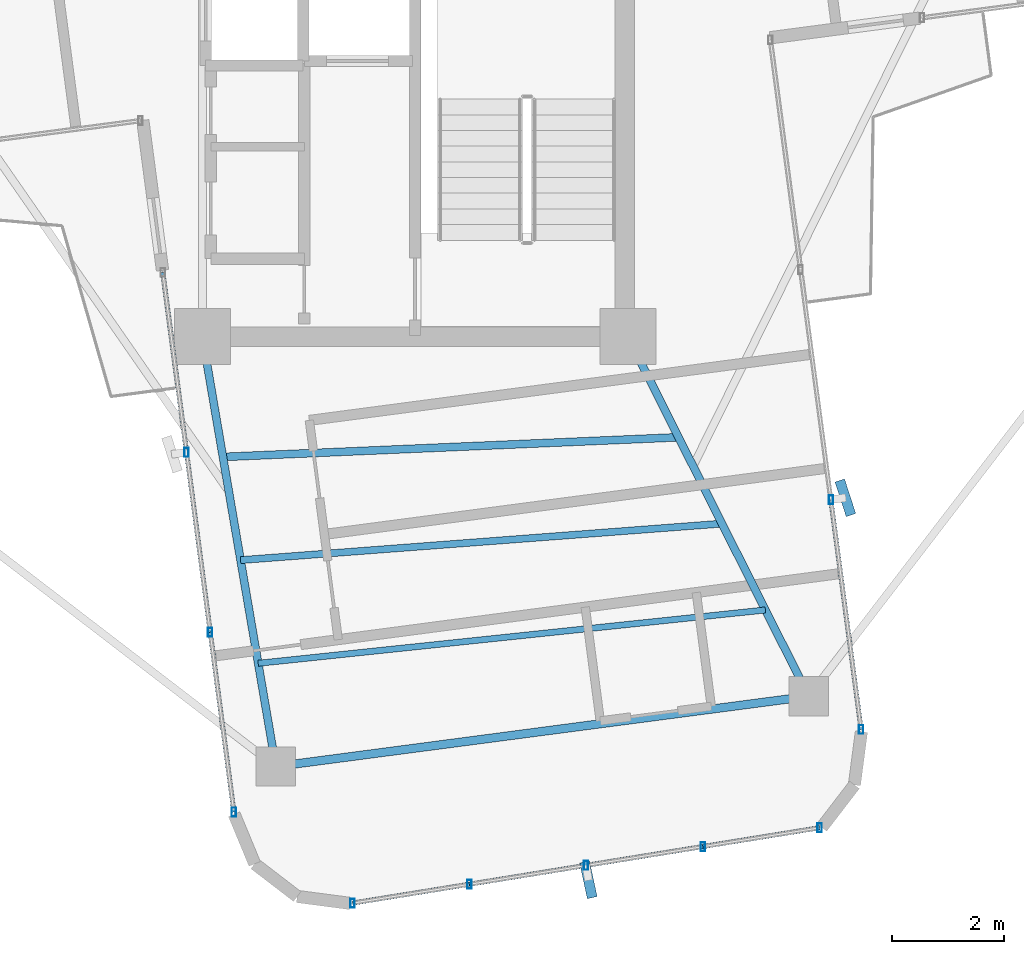
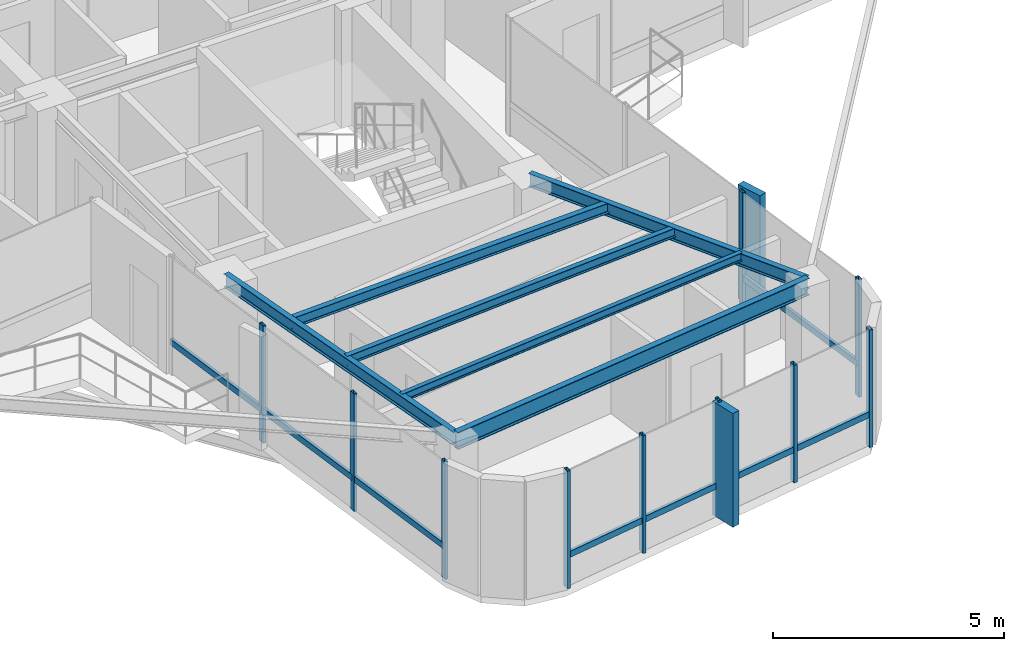
# One storey, part 4 of 21: 20 members, 6 beams, 3 elements without a shape of their own.
"""IFC4 building model written with IfcOpenShell, lengths in metres."""

import ifcopenshell
import ifcopenshell.guid

model = None  # the IFC model being written
_history = None  # IfcOwnerHistory: only IFC2X3 demands one
_inside = {}  # id of a spatial element -> (the spatial element, [elements in it])
_under = {}  # id of a project, library or spatial element -> (it, [spatial elements below it])
_declared = {}  # id of a project -> (the project, [libraries it declares])
_typed = {}  # id of a type object -> (the type object, [elements of that type])
_made_of = {}  # id of a material, layer set ... -> (it, [elements and type objects made of it])


def new_model(schema):
    """Start an empty IFC model of exactly this schema.

    Asked for "IFC4X3", IfcOpenShell would pick the latest addendum, in which some entities
    have other attributes; the version numbers below select the first issue.
    IFC2X3 requires an IfcOwnerHistory on every rooted entity: one is made here for all.
    """
    global model, _history
    if schema == "IFC4X3":
        model = ifcopenshell.file(schema_version=(4, 3, 0, 0))
    else:
        model = ifcopenshell.file(schema=schema)
    _inside.clear()
    _under.clear()
    _declared.clear()
    _typed.clear()
    _made_of.clear()
    _history = None
    if model.schema == "IFC2X3":
        org = make("IfcOrganization", Name="unknown")
        user = make(
            "IfcPersonAndOrganization",
            ThePerson=make("IfcPerson", FamilyName="unknown"),
            TheOrganization=org,
        )
        app = make(
            "IfcApplication",
            ApplicationDeveloper=org,
            Version="unknown",
            ApplicationFullName="unknown",
            ApplicationIdentifier="unknown",
        )
        _history = make(
            "IfcOwnerHistory",
            OwningUser=user,
            OwningApplication=app,
            ChangeAction="ADDED",
            CreationDate=0,
        )
    return model


def make(cls, **values):
    """One entity of the class cls with the attributes given. An attribute that is None is left unset."""
    return model.create_entity(
        cls, **{name: value for name, value in values.items() if value is not None}
    )


def rooted(cls, **values):
    """An entity with a GlobalId (a new one), such as an element, a storey or a relation."""
    return make(cls, GlobalId=ifcopenshell.guid.new(), OwnerHistory=_history, **values)


def si_unit(unit_type, name, prefix=None):
    """IfcSIUnit, for example si_unit("LENGTHUNIT", "METRE", prefix="MILLI")."""
    return make("IfcSIUnit", UnitType=unit_type, Prefix=prefix, Name=name)


def assignment(units):
    """IfcUnitAssignment: the units of a project."""
    return None if units is None else make("IfcUnitAssignment", Units=units)


def point(xyz):
    """IfcCartesianPoint."""
    return None if xyz is None else make("IfcCartesianPoint", Coordinates=xyz)


def direction(xyz):
    """IfcDirection."""
    return None if xyz is None else make("IfcDirection", DirectionRatios=xyz)


def frame(location, z_axis=None, x_axis=None):
    """IfcAxis2Placement3D, a coordinate frame: its origin and axes. An axis left out is left unset."""
    return make(
        "IfcAxis2Placement3D",
        Location=point(location),
        Axis=direction(z_axis),
        RefDirection=direction(x_axis),
    )


def frame_2d(location, x_axis=None):
    """IfcAxis2Placement2D, a coordinate frame in the plane: its origin and x axis."""
    return make(
        "IfcAxis2Placement2D", Location=point(location), RefDirection=direction(x_axis)
    )


def origin():
    """The frame at (0, 0, 0) with its axes left unset."""
    return frame((0.0, 0.0, 0.0))


def origin_2d():
    """The frame at (0, 0) in the plane with its x axis left unset."""
    return frame_2d((0.0, 0.0))


def place(relative_to, where):
    """IfcLocalPlacement: puts the frame where relative to a parent placement (None: the world)."""
    return make(
        "IfcLocalPlacement", PlacementRelTo=relative_to, RelativePlacement=where
    )


def context(
    kind, dimensions, precision=None, world=None, true_north=None, identifier=None
):
    """IfcGeometricRepresentationContext, for example the 3D "Model" context."""
    return make(
        "IfcGeometricRepresentationContext",
        ContextIdentifier=identifier,
        ContextType=kind,
        CoordinateSpaceDimension=dimensions,
        Precision=precision,
        WorldCoordinateSystem=world,
        TrueNorth=true_north,
    )


def subcontext(parent, identifier, kind, view, scale=None):
    """IfcGeometricRepresentationSubContext, for example "Body" below "Model"."""
    return make(
        "IfcGeometricRepresentationSubContext",
        ContextIdentifier=identifier,
        ContextType=kind,
        ParentContext=parent,
        TargetScale=scale,
        TargetView=view,
    )


def project(units=None, contexts=None):
    """IfcProject with its units and contexts."""
    return rooted(
        "IfcProject",
        Name="project",
        RepresentationContexts=contexts,
        UnitsInContext=assignment(units),
    )


def spatial(cls, under=None, at=None, **own):
    """A site, building, storey or space (cls), placed at a placement, below another one or the project."""
    s = rooted(cls, ObjectPlacement=at, **own)
    if under is not None:
        _under.setdefault(under.id(), (under, []))[1].append(s)
    return s


def profile(cls, at=None, kind="AREA", **sizes):
    """A parametric profile (cls). Its sizes go by their IFC names, for example OverallWidth=200.0."""
    return make(cls, ProfileType=kind, Position=at, **sizes)


def rectangle(**sizes):
    """IfcRectangleProfileDef."""
    return profile("IfcRectangleProfileDef", **sizes)


def hollow_rectangle(**sizes):
    """IfcRectangleHollowProfileDef."""
    return profile("IfcRectangleHollowProfileDef", **sizes)


def i_section(**sizes):
    """IfcIShapeProfileDef."""
    return profile("IfcIShapeProfileDef", **sizes)


def extrude(swept, where, along, depth):
    """IfcExtrudedAreaSolid: the profile swept, set in the frame where, extruded along a direction by depth."""
    return make(
        "IfcExtrudedAreaSolid",
        SweptArea=swept,
        Position=where,
        ExtrudedDirection=direction(along),
        Depth=depth,
    )


def shape(context_of_items, identifier, shape_type, items):
    """IfcShapeRepresentation: the items that make up one representation, for example the "Body"."""
    return make(
        "IfcShapeRepresentation",
        ContextOfItems=context_of_items,
        RepresentationIdentifier=identifier,
        RepresentationType=shape_type,
        Items=items,
    )


def source(mapping_origin, context_of_items, identifier, shape_type, items):
    """IfcRepresentationMap: a shape defined once, which mapped items show again and again."""
    return make(
        "IfcRepresentationMap",
        MappingOrigin=mapping_origin,
        MappedRepresentation=shape(context_of_items, identifier, shape_type, items),
    )


def transform(
    local_origin,
    x_axis=None,
    y_axis=None,
    z_axis=None,
    scale=None,
    scale2=None,
    scale3=None,
    uniform=True,
):
    """IfcCartesianTransformationOperator3D, or its non-uniform kind. x_axis, y_axis, z_axis: its Axis1, 2, 3."""
    if uniform:
        return make(
            "IfcCartesianTransformationOperator3D",
            Axis1=direction(x_axis),
            Axis2=direction(y_axis),
            LocalOrigin=point(local_origin),
            Scale=scale,
            Axis3=direction(z_axis),
        )
    return make(
        "IfcCartesianTransformationOperator3DnonUniform",
        Axis1=direction(x_axis),
        Axis2=direction(y_axis),
        LocalOrigin=point(local_origin),
        Scale=scale,
        Axis3=direction(z_axis),
        Scale2=scale2,
        Scale3=scale3,
    )


def mapped(mapping_source, mapping_target):
    """IfcMappedItem: shows the shape of a source again, moved by a transform."""
    return make(
        "IfcMappedItem", MappingSource=mapping_source, MappingTarget=mapping_target
    )


def material(Name=None, Category=None):
    """IfcMaterial."""
    return make("IfcMaterial", Name=Name, Category=Category)


def material_profile(
    of_material, cross_section, Name=None, Category=None, Priority=None
):
    """IfcMaterialProfile: a cross section and its material."""
    return make(
        "IfcMaterialProfile",
        Name=Name,
        Material=of_material,
        Profile=cross_section,
        Priority=Priority,
        Category=Category,
    )


def profile_set(profiles, Name=None, composite=None):
    """IfcMaterialProfileSet."""
    return make(
        "IfcMaterialProfileSet",
        Name=Name,
        MaterialProfiles=profiles,
        CompositeProfile=composite,
    )


def made_of(thing, what):
    """Note that an element or type object is made of a material, layer set ...; save() writes the relation."""
    if what is not None:
        _made_of.setdefault(what.id(), (what, []))[1].append(thing)
    return thing


def type_object(cls, material=None, **own):
    """A type object (cls), such as IfcWallType, which elements share."""
    return made_of(rooted(cls, **own), material)


def element(
    cls,
    number,
    at=None,
    inside=None,
    cuts=None,
    type_object=None,
    material=None,
    context=None,
    identifier="Body",
    shape_type=None,
    held_by="IfcProductDefinitionShape",
    body=None,
    shapes=None,
    **own,
):
    """One element of the class cls, such as IfcWall. Its Tag is "e" and its number.

    at: its placement. inside: the storey or other place that contains it. cuts: it is an
    opening in that element (IfcRelVoidsElement). A single representation is given by context,
    identifier, shape_type and body (its items); several are given by shapes. held_by: the class
    of the entity that holds the representations. save() writes the other relations.
    """
    e = rooted(cls, Tag="e%d" % number, ObjectPlacement=at, **own)
    if body is not None:
        shapes = [shape(context, identifier, shape_type, body)]
    if shapes is not None:
        e.Representation = make(held_by, Representations=shapes)
    if inside is not None:
        _inside.setdefault(inside.id(), (inside, []))[1].append(e)
    if cuts is not None:
        rooted(
            "IfcRelVoidsElement", RelatingBuildingElement=cuts, RelatedOpeningElement=e
        )
    if type_object is not None:
        _typed.setdefault(type_object.id(), (type_object, []))[1].append(e)
    return made_of(e, material)


def aggregate(whole, parts):
    """IfcRelAggregates: a whole, such as a stair, and the parts it consists of."""
    return rooted("IfcRelAggregates", RelatingObject=whole, RelatedObjects=parts)


def save(model, path):
    """Write the relations noted so far, then the file.

    IfcRelAggregates (storeys below a building ...), IfcRelContainedInSpatialStructure (elements
    in a storey), IfcRelDefinesByType, IfcRelAssociatesMaterial and IfcRelDeclares: one each for
    every whole, place, type object, material and project.
    """
    for whole, parts in _under.values():
        aggregate(whole, parts)
    for where, things in _inside.values():
        rooted(
            "IfcRelContainedInSpatialStructure",
            RelatedElements=things,
            RelatingStructure=where,
        )
    for kind, things in _typed.values():
        rooted("IfcRelDefinesByType", RelatedObjects=things, RelatingType=kind)
    for what, things in _made_of.values():
        rooted("IfcRelAssociatesMaterial", RelatedObjects=things, RelatingMaterial=what)
    for by, libraries in _declared.values():
        rooted("IfcRelDeclares", RelatingContext=by, RelatedDefinitions=libraries)
    model.write(path)


model = new_model("IFC4")

# Units and contexts
model_context = context("Model", 3, precision=1e-05, world=origin(), true_north=direction((0.0, 1.0)))
body_context = subcontext(model_context, "Body", "Model", "MODEL_VIEW")
ifc_project = project(units=[si_unit("LENGTHUNIT", "METRE"), si_unit("AREAUNIT", "SQUARE_METRE"), si_unit("VOLUMEUNIT", "CUBIC_METRE"), si_unit("PLANEANGLEUNIT", "RADIAN"), si_unit("MASSUNIT", "GRAM", prefix="KILO")], contexts=[model_context])

# Site, building, storey
site_placement = place(None, origin())
site = spatial("IfcSite", under=ifc_project, at=site_placement, CompositionType="ELEMENT")
building_placement = place(site_placement, origin())
building = spatial("IfcBuilding", under=site, at=building_placement, Name="Sahyath Konkavel Grand Hotel", CompositionType="ELEMENT")
storey_placement = place(building_placement, frame((0.0, 0.0, 209.85009765625)))
storey = spatial("IfcBuildingStorey", under=building, at=storey_placement, Name="L58", CompositionType="ELEMENT", Elevation=209.85009765625)

# Beams
ifc_material_1 = material(Name="Steel E350", Category="steel")
ifc_material_profile_1 = material_profile(ifc_material_1, i_section(OverallWidth=0.139892578125, OverallDepth=0.35009765625, WebThickness=0.008056640625, FlangeThickness=0.01416015625, FilletRadius=0.013916015625, at=origin_2d()), Name="ISMB 350")
ifc_profile_set_1 = profile_set([ifc_material_profile_1], Name="Steel E350")
beam_type_1 = type_object("IfcBeamType", Name="BM-ISMB350", PredefinedType="BEAM", material=ifc_profile_set_1)
shared_shape_1 = source(origin(), body_context, "Body", "SweptSolid", [
    extrude(i_section(OverallWidth=0.139892578125, OverallDepth=0.35009765625, WebThickness=0.008056640625, FlangeThickness=0.01416015625, FilletRadius=0.013916015625, at=origin_2d()), origin(), (0.0, 0.0, 1.0), 7.7890625),
])
beam_1_placement = place(storey_placement, frame((-3.800048828125, -10.199951171875, 2.934814453125), z_axis=(0.168473997649, -0.985706098244, 0.0), x_axis=(0.985706098244, 0.168473997649, 0.0)))
element("IfcBeam", 1, at=beam_1_placement, inside=storey, type_object=beam_type_1, Name="L58 Cruciform Radial Girder SA", PredefinedType="BEAM", context=body_context, shape_type="MappedRepresentation", body=[
    mapped(shared_shape_1, transform((0.0, 0.0, 0.0), scale=1.0)),
])
shared_shape_2 = source(origin(), body_context, "Body", "SweptSolid", [
    extrude(i_section(OverallWidth=0.139892578125, OverallDepth=0.35009765625, WebThickness=0.008056640625, FlangeThickness=0.01416015625, FilletRadius=0.013916015625, at=origin_2d()), origin(), (0.0, 0.0, 1.0), 7.19091796875),
])
beam_2_placement = place(storey_placement, frame((3.800048828125, -10.199951171875, 2.934814453125), z_axis=(0.4491817134, -0.893440422383, 0.0), x_axis=(0.893440422383, 0.4491817134, 0.0)))
element("IfcBeam", 2, at=beam_2_placement, inside=storey, type_object=beam_type_1, Name="L58 Cruciform Radial Girder SB", PredefinedType="BEAM", context=body_context, shape_type="MappedRepresentation", body=[
    mapped(shared_shape_2, transform((0.0, 0.0, 0.0), scale=1.0)),
])
ifc_material_profile_2 = material_profile(ifc_material_1, i_section(OverallWidth=0.14990234375, OverallDepth=0.449951171875, WebThickness=0.009521484375, FlangeThickness=0.017333984375, FilletRadius=0.014892578125, at=origin_2d()), Name="ISMB 450")
ifc_profile_set_2 = profile_set([ifc_material_profile_2], Name="Steel E350")
beam_type_2 = type_object("IfcBeamType", Name="BM-ISMB450", PredefinedType="BEAM", material=ifc_profile_set_2)
shared_shape_3 = source(origin(), body_context, "Body", "SweptSolid", [
    extrude(i_section(OverallWidth=0.14990234375, OverallDepth=0.449951171875, WebThickness=0.009521484375, FlangeThickness=0.017333984375, FilletRadius=0.014892578125, at=origin_2d()), origin(), (0.0, 0.0, 1.0), 9.599853515625),
])
beam_3_placement = place(storey_placement, frame((-2.48779296875, -17.877685546875, 2.885009765625), z_axis=(0.991443125639, 0.130539375757, 0.0), x_axis=(-0.130539375757, 0.991443125639, 0.0)))
element("IfcBeam", 3, at=beam_3_placement, inside=storey, type_object=beam_type_2, Name="L58 Wing Tip Edge Beam S", PredefinedType="BEAM", context=body_context, shape_type="MappedRepresentation", body=[
    mapped(shared_shape_3, transform((0.0, 0.0, 0.0), scale=1.0)),
])
ifc_material_profile_3 = material_profile(ifc_material_1, i_section(OverallWidth=0.139892578125, OverallDepth=0.27490234375, WebThickness=0.00634765625, FlangeThickness=0.0087890625, FilletRadius=0.012939453125, at=origin_2d()), Name="ISLB 275")
ifc_profile_set_3 = profile_set([ifc_material_profile_3], Name="Steel E350")
beam_type_3 = type_object("IfcBeamType", Name="BM-ISLB275", PredefinedType="BEAM", material=ifc_profile_set_3)
shared_shape_4 = source(origin(), body_context, "Body", "SweptSolid", [
    extrude(i_section(OverallWidth=0.139892578125, OverallDepth=0.27490234375, WebThickness=0.00634765625, FlangeThickness=0.0087890625, FilletRadius=0.012939453125, at=origin_2d()), origin(), (0.0, 0.0, 1.0), 8.14453125),
])
beam_4_placement = place(storey_placement, frame((-3.4326171875, -12.349853515625, 2.972412109375), z_axis=(0.999070525707, 0.043105506195, 0.0), x_axis=(-0.043105506195, 0.999070525707, 0.0)))
element("IfcBeam", 4, at=beam_4_placement, inside=storey, type_object=beam_type_3, Name="L58 Secondary Floor Beam S-1", PredefinedType="BEAM", context=body_context, shape_type="MappedRepresentation", body=[
    mapped(shared_shape_4, transform((0.0, 0.0, 0.0), scale=1.0)),
])
ifc_material_profile_4 = material_profile(ifc_material_1, i_section(OverallWidth=0.125, OverallDepth=0.25, WebThickness=0.0068359375, FlangeThickness=0.012451171875, FilletRadius=0.012939453125, at=origin_2d()), Name="ISMB 250")
ifc_profile_set_4 = profile_set([ifc_material_profile_4], Name="Steel E350")
beam_type_4 = type_object("IfcBeamType", Name="BM-ISMB250", PredefinedType="BEAM", material=ifc_profile_set_4)
shared_shape_5 = source(origin(), body_context, "Body", "SweptSolid", [
    extrude(i_section(OverallWidth=0.125, OverallDepth=0.25, WebThickness=0.0068359375, FlangeThickness=0.012451171875, FilletRadius=0.012939453125, at=origin_2d()), origin(), (0.0, 0.0, 1.0), 8.6220703125),
])
beam_5_placement = place(storey_placement, frame((-3.11767578125, -14.1923828125, 2.98486328125), z_axis=(0.997140134449, 0.075574812405, 0.0), x_axis=(-0.075574812405, 0.997140134449, 0.0)))
element("IfcBeam", 5, at=beam_5_placement, inside=storey, type_object=beam_type_4, Name="L58 Secondary Floor Beam S-2", PredefinedType="BEAM", context=body_context, shape_type="MappedRepresentation", body=[
    mapped(shared_shape_5, transform((0.0, 0.0, 0.0), scale=1.0)),
])
ifc_material_profile_5 = material_profile(ifc_material_1, i_section(OverallWidth=0.110107421875, OverallDepth=0.22509765625, WebThickness=0.006591796875, FlangeThickness=0.01171875, FilletRadius=0.011962890625, at=origin_2d()), Name="ISMB 225")
ifc_profile_set_5 = profile_set([ifc_material_profile_5], Name="Steel E350")
beam_type_5 = type_object("IfcBeamType", Name="BM-ISMB225", PredefinedType="BEAM", material=ifc_profile_set_5)
shared_shape_6 = source(origin(), body_context, "Body", "SweptSolid", [
    extrude(i_section(OverallWidth=0.110107421875, OverallDepth=0.22509765625, WebThickness=0.006591796875, FlangeThickness=0.01171875, FilletRadius=0.011962890625, at=origin_2d()), origin(), (0.0, 0.0, 1.0), 9.107666015625),
])
beam_6_placement = place(storey_placement, frame((-2.802734375, -16.03515625, 2.997314453125), z_axis=(0.994517344132, 0.10457175632, 0.0), x_axis=(-0.10457175632, 0.994517344132, 0.0)))
element("IfcBeam", 6, at=beam_6_placement, inside=storey, type_object=beam_type_5, Name="L58 Secondary Floor Beam S-3", PredefinedType="BEAM", context=body_context, shape_type="MappedRepresentation", body=[
    mapped(shared_shape_6, transform((0.0, 0.0, 0.0), scale=1.0)),
])

# Curtain wall, members
ifc_material_2 = material(Name="Anodised Bronze Aluminium & Low-E Glazing", Category="aluminium")
curtain_wall_type = type_object("IfcCurtainWallType", Name="CW-ZONE4", PredefinedType="NOTDEFINED", material=ifc_material_2)
curtain_wall_1_placement = place(storey_placement, origin())
curtain_wall_1 = element("IfcCurtainWall", 7, at=curtain_wall_1_placement, inside=storey, type_object=curtain_wall_type, Name="L58 Unitised Curtain Wall F24", PredefinedType="NOTDEFINED")
ifc_material_3 = material(Name="Anodised Bronze Aluminium", Category="aluminium")
ifc_material_profile_6 = material_profile(ifc_material_3, hollow_rectangle(XDim=0.080078125, YDim=0.159912109375, WallThickness=0.006103515625, at=origin_2d()), Name="RHS 160x80x6")
ifc_profile_set_6 = profile_set([ifc_material_profile_6], Name="Anodised Bronze Aluminium")
member_type_1 = type_object("IfcMemberType", Name="CW-MUL-160", PredefinedType="MULLION", material=ifc_profile_set_6)
shared_shape_7 = source(origin(), body_context, "Body", "SweptSolid", [
    extrude(hollow_rectangle(XDim=0.080078125, YDim=0.159912109375, WallThickness=0.006103515625, at=origin_2d()), origin(), (0.0, 0.0, 1.0), 3.10986328125),
])
member_1_placement = place(storey_placement, frame((-4.083740234375, -12.26806640625, 0.0), z_axis=(0.0, 0.0, 1.0), x_axis=(1.0, 0.0, 0.0)))
member_1 = element("IfcMember", 8, at=member_1_placement, type_object=member_type_1, Name="L58 Curtain Wall Mullion F24-1", PredefinedType="MULLION", context=body_context, shape_type="MappedRepresentation", body=[
    mapped(shared_shape_7, transform((0.0, 0.0, 0.0), scale=1.0)),
])
member_2_placement = place(storey_placement, frame((-3.66064453125, -15.480224609375, 0.0), z_axis=(0.0, 0.0, 1.0), x_axis=(1.0, 0.0, 0.0)))
member_2 = element("IfcMember", 9, at=member_2_placement, type_object=member_type_1, Name="L58 Curtain Wall Mullion F24-2", PredefinedType="MULLION", context=body_context, shape_type="MappedRepresentation", body=[
    mapped(shared_shape_7, transform((0.0, 0.0, 0.0), scale=1.0)),
])
member_3_placement = place(storey_placement, frame((-3.23779296875, -18.6923828125, 0.0), z_axis=(0.0, 0.0, 1.0), x_axis=(1.0, 0.0, 0.0)))
member_3 = element("IfcMember", 10, at=member_3_placement, type_object=member_type_1, Name="L58 Curtain Wall Mullion F24-3", PredefinedType="MULLION", context=body_context, shape_type="MappedRepresentation", body=[
    mapped(shared_shape_7, transform((0.0, 0.0, 0.0), scale=1.0)),
])

curtain_wall_2_placement = place(storey_placement, origin())
curtain_wall_2 = element("IfcCurtainWall", 11, at=curtain_wall_2_placement, inside=storey, type_object=curtain_wall_type, Name="L58 Unitised Curtain Wall F28", PredefinedType="NOTDEFINED")
member_4_placement = place(storey_placement, frame((-1.117431640625, -20.318603515625, 0.0), z_axis=(0.0, 0.0, 1.0), x_axis=(1.0, 0.0, 0.0)))
member_4 = element("IfcMember", 12, at=member_4_placement, type_object=member_type_1, Name="L58 Curtain Wall Mullion F28-0", PredefinedType="MULLION", context=body_context, shape_type="MappedRepresentation", body=[
    mapped(shared_shape_7, transform((0.0, 0.0, 0.0), scale=1.0)),
])
member_5_placement = place(storey_placement, frame((0.9677734375, -19.982177734375, 0.0), z_axis=(0.0, 0.0, 1.0), x_axis=(1.0, 0.0, 0.0)))
member_5 = element("IfcMember", 13, at=member_5_placement, type_object=member_type_1, Name="L58 Curtain Wall Mullion F28-1", PredefinedType="MULLION", context=body_context, shape_type="MappedRepresentation", body=[
    mapped(shared_shape_7, transform((0.0, 0.0, 0.0), scale=1.0)),
])
member_6_placement = place(storey_placement, frame((3.052734375, -19.6455078125, 0.0), z_axis=(0.0, 0.0, 1.0), x_axis=(1.0, 0.0, 0.0)))
member_6 = element("IfcMember", 14, at=member_6_placement, type_object=member_type_1, Name="L58 Curtain Wall Mullion F28-2", PredefinedType="MULLION", context=body_context, shape_type="MappedRepresentation", body=[
    mapped(shared_shape_7, transform((0.0, 0.0, 0.0), scale=1.0)),
])
member_7_placement = place(storey_placement, frame((5.137939453125, -19.30908203125, 0.0), z_axis=(0.0, 0.0, 1.0), x_axis=(1.0, 0.0, 0.0)))
member_7 = element("IfcMember", 15, at=member_7_placement, type_object=member_type_1, Name="L58 Curtain Wall Mullion F28-3", PredefinedType="MULLION", context=body_context, shape_type="MappedRepresentation", body=[
    mapped(shared_shape_7, transform((0.0, 0.0, 0.0), scale=1.0)),
])
member_8_placement = place(storey_placement, frame((7.22314453125, -18.972900390625, 0.0), z_axis=(0.0, 0.0, 1.0), x_axis=(1.0, 0.0, 0.0)))
member_8 = element("IfcMember", 16, at=member_8_placement, type_object=member_type_1, Name="L58 Curtain Wall Mullion F28-4", PredefinedType="MULLION", context=body_context, shape_type="MappedRepresentation", body=[
    mapped(shared_shape_7, transform((0.0, 0.0, 0.0), scale=1.0)),
])

curtain_wall_3_placement = place(storey_placement, origin())
curtain_wall_3 = element("IfcCurtainWall", 17, at=curtain_wall_3_placement, inside=storey, type_object=curtain_wall_type, Name="L58 Unitised Curtain Wall F31", PredefinedType="NOTDEFINED")
member_9_placement = place(storey_placement, frame((7.965576171875, -17.217529296875, 0.0), z_axis=(0.0, 0.0, 1.0), x_axis=(1.0, 0.0, 0.0)))
member_9 = element("IfcMember", 18, at=member_9_placement, type_object=member_type_1, Name="L58 Curtain Wall Mullion F31-0", PredefinedType="MULLION", context=body_context, shape_type="MappedRepresentation", body=[
    mapped(shared_shape_7, transform((0.0, 0.0, 0.0), scale=1.0)),
])
member_10_placement = place(storey_placement, frame((7.425048828125, -13.113037109375, 0.0), z_axis=(0.0, 0.0, 1.0), x_axis=(1.0, 0.0, 0.0)))
member_10 = element("IfcMember", 19, at=member_10_placement, type_object=member_type_1, Name="L58 Curtain Wall Mullion F31-1", PredefinedType="MULLION", context=body_context, shape_type="MappedRepresentation", body=[
    mapped(shared_shape_7, transform((0.0, 0.0, 0.0), scale=1.0)),
])

# Member
ifc_material_4 = material(Name="Warm Buff Sandstone Cladding on Concrete C50/60", Category="masonry")
ifc_material_profile_7 = material_profile(ifc_material_4, rectangle(XDim=0.179931640625, YDim=0.64990234375, at=origin_2d()), Name="FIN 180x650")
ifc_profile_set_7 = profile_set([ifc_material_profile_7], Name="Warm Buff Sandstone Cladding on Concrete C50/60")
member_type_2 = type_object("IfcMemberType", Name="FIN-SANDSTONE-650", PredefinedType="MULLION", material=ifc_profile_set_7)
shared_shape_8 = source(origin(), body_context, "Body", "SweptSolid", [
    extrude(rectangle(XDim=0.179931640625, YDim=0.64990234375, at=origin_2d()), origin(), (0.0, 0.0, 1.0), 3.010009765625),
])
member_11_placement = place(storey_placement, frame((3.09423828125, -19.90234375, 0.0498046875), z_axis=(0.0, 0.0, 1.0), x_axis=(0.977746636525, 0.209789215079, 0.0)))
member_11 = element("IfcMember", 20, at=member_11_placement, type_object=member_type_2, Name="L58 Sandstone Vertical Solar Fin FIN F28-2", PredefinedType="MULLION", context=body_context, shape_type="MappedRepresentation", body=[
    mapped(shared_shape_8, transform((0.0, 0.0, 0.0), scale=1.0)),
])

member_12_placement = place(storey_placement, frame((7.682861328125, -13.0791015625, 0.0498046875), z_axis=(0.0, 0.0, 1.0), x_axis=(0.951164325631, 0.308684994204, 0.0)))
member_12 = element("IfcMember", 21, at=member_12_placement, type_object=member_type_2, Name="L58 Sandstone Vertical Solar Fin FIN F31-1", PredefinedType="MULLION", context=body_context, shape_type="MappedRepresentation", body=[
    mapped(shared_shape_8, transform((0.0, 0.0, 0.0), scale=1.0)),
])

ifc_material_profile_8 = material_profile(ifc_material_3, hollow_rectangle(XDim=0.080078125, YDim=0.159912109375, WallThickness=0.006103515625, at=origin_2d()), Name="RHS 160x80x6")
ifc_profile_set_8 = profile_set([ifc_material_profile_8], Name="Anodised Bronze Aluminium")
member_type_3 = type_object("IfcMemberType", Name="CW-TRN-160", PredefinedType="USERDEFINED", material=ifc_profile_set_8)
shared_shape_9 = source(origin(), body_context, "Body", "SweptSolid", [
    extrude(hollow_rectangle(XDim=0.080078125, YDim=0.159912109375, WallThickness=0.006103515625, at=origin_2d()), origin(), (0.0, 0.0, 1.0), 3.240234375),
])
member_13_placement = place(storey_placement, frame((-4.506591796875, -9.0556640625, 0.849853515625), z_axis=(0.130505189885, -0.991447626157, 0.0), x_axis=(0.991447626157, 0.130505189885, 0.0)))
member_13 = element("IfcMember", 22, at=member_13_placement, type_object=member_type_3, Name="L58 Curtain Wall Transom F24-0-spandrel", ObjectType="TRANSOM", PredefinedType="USERDEFINED", context=body_context, shape_type="MappedRepresentation", body=[
    mapped(shared_shape_9, transform((0.0, 0.0, 0.0), scale=1.0)),
])

shared_shape_10 = source(origin(), body_context, "Body", "SweptSolid", [
    extrude(hollow_rectangle(XDim=0.080078125, YDim=0.159912109375, WallThickness=0.006103515625, at=origin_2d()), origin(), (0.0, 0.0, 1.0), 3.239990234375),
])
member_14_placement = place(storey_placement, frame((-4.083740234375, -12.26806640625, 0.849853515625), z_axis=(0.130589010341, -0.991436589187, 0.0), x_axis=(0.991436589187, 0.130589010341, 0.0)))
member_14 = element("IfcMember", 23, at=member_14_placement, type_object=member_type_3, Name="L58 Curtain Wall Transom F24-1-spandrel", ObjectType="TRANSOM", PredefinedType="USERDEFINED", context=body_context, shape_type="MappedRepresentation", body=[
    mapped(shared_shape_10, transform((0.0, 0.0, 0.0), scale=1.0)),
])

member_15_placement = place(storey_placement, frame((-3.66064453125, -15.480224609375, 0.849853515625), z_axis=(0.130514939997, -0.991446342692, 0.0), x_axis=(0.991446342692, 0.130514939997, 0.0)))
member_15 = element("IfcMember", 24, at=member_15_placement, type_object=member_type_3, Name="L58 Curtain Wall Transom F24-2-spandrel", ObjectType="TRANSOM", PredefinedType="USERDEFINED", context=body_context, shape_type="MappedRepresentation", body=[
    mapped(shared_shape_10, transform((0.0, 0.0, 0.0), scale=1.0)),
])

aggregate(curtain_wall_1, [member_1, member_2, member_3, member_13, member_14, member_15])

shared_shape_11 = source(origin(), body_context, "Body", "SweptSolid", [
    extrude(hollow_rectangle(XDim=0.080078125, YDim=0.159912109375, WallThickness=0.006103515625, at=origin_2d()), origin(), (0.0, 0.0, 1.0), 2.112060546875),
])
member_16_placement = place(storey_placement, frame((-1.117431640625, -20.318603515625, 0.849853515625), z_axis=(0.987233499712, 0.159279681841, 0.0), x_axis=(-0.159279681841, 0.987233499712, 0.0)))
member_16 = element("IfcMember", 25, at=member_16_placement, type_object=member_type_3, Name="L58 Curtain Wall Transom F28-0-spandrel", ObjectType="TRANSOM", PredefinedType="USERDEFINED", context=body_context, shape_type="MappedRepresentation", body=[
    mapped(shared_shape_11, transform((0.0, 0.0, 0.0), scale=1.0)),
])

member_17_placement = place(storey_placement, frame((0.9677734375, -19.982177734375, 0.849853515625), z_axis=(0.98721238085, 0.159410523793, 0.0), x_axis=(-0.159410523793, 0.98721238085, 0.0)))
member_17 = element("IfcMember", 26, at=member_17_placement, type_object=member_type_3, Name="L58 Curtain Wall Transom F28-1-spandrel", ObjectType="TRANSOM", PredefinedType="USERDEFINED", context=body_context, shape_type="MappedRepresentation", body=[
    mapped(shared_shape_11, transform((0.0, 0.0, 0.0), scale=1.0)),
])

member_18_placement = place(storey_placement, frame((3.052734375, -19.6455078125, 0.849853515625), z_axis=(0.987233499712, 0.159279681841, 0.0), x_axis=(-0.159279681841, 0.987233499712, 0.0)))
member_18 = element("IfcMember", 27, at=member_18_placement, type_object=member_type_3, Name="L58 Curtain Wall Transom F28-2-spandrel", ObjectType="TRANSOM", PredefinedType="USERDEFINED", context=body_context, shape_type="MappedRepresentation", body=[
    mapped(shared_shape_11, transform((0.0, 0.0, 0.0), scale=1.0)),
])

member_19_placement = place(storey_placement, frame((5.137939453125, -19.30908203125, 0.849853515625), z_axis=(0.98725166933, 0.159167023612, 0.0), x_axis=(-0.159167023612, 0.98725166933, 0.0)))
member_19 = element("IfcMember", 28, at=member_19_placement, type_object=member_type_3, Name="L58 Curtain Wall Transom F28-3-spandrel", ObjectType="TRANSOM", PredefinedType="USERDEFINED", context=body_context, shape_type="MappedRepresentation", body=[
    mapped(shared_shape_11, transform((0.0, 0.0, 0.0), scale=1.0)),
])

aggregate(curtain_wall_2, [member_4, member_5, member_6, member_11, member_7, member_8, member_16, member_17, member_18, member_19])

shared_shape_12 = source(origin(), body_context, "Body", "SweptSolid", [
    extrude(hollow_rectangle(XDim=0.080078125, YDim=0.159912109375, WallThickness=0.006103515625, at=origin_2d()), origin(), (0.0, 0.0, 1.0), 4.139892578125),
])
member_20_placement = place(storey_placement, frame((7.965576171875, -17.217529296875, 0.849853515625), z_axis=(-0.130564346904, 0.991439837467, 0.0), x_axis=(-0.991439837467, -0.130564346904, 0.0)))
member_20 = element("IfcMember", 29, at=member_20_placement, type_object=member_type_3, Name="L58 Curtain Wall Transom F31-0-spandrel", ObjectType="TRANSOM", PredefinedType="USERDEFINED", context=body_context, shape_type="MappedRepresentation", body=[
    mapped(shared_shape_12, transform((0.0, 0.0, 0.0), scale=1.0)),
])

aggregate(curtain_wall_3, [member_9, member_10, member_12, member_20])

save(model, "model.ifc")
